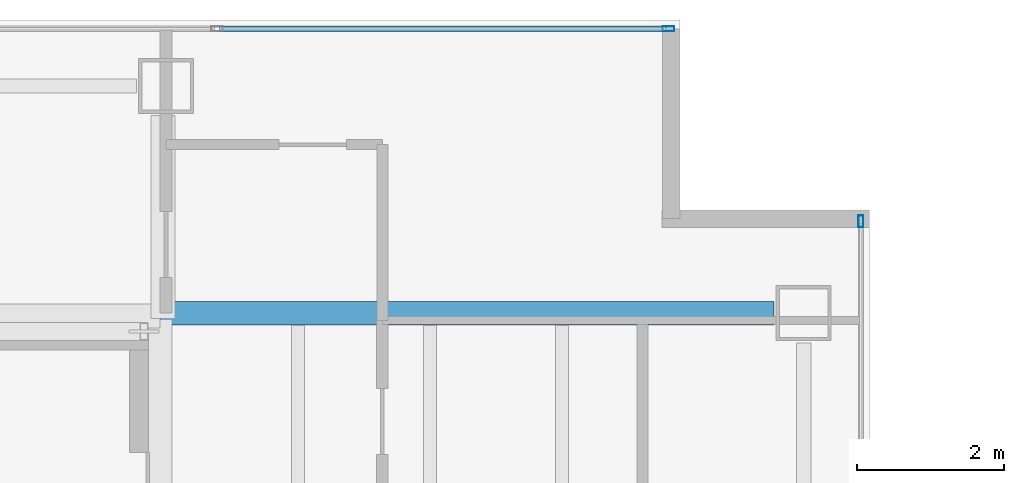
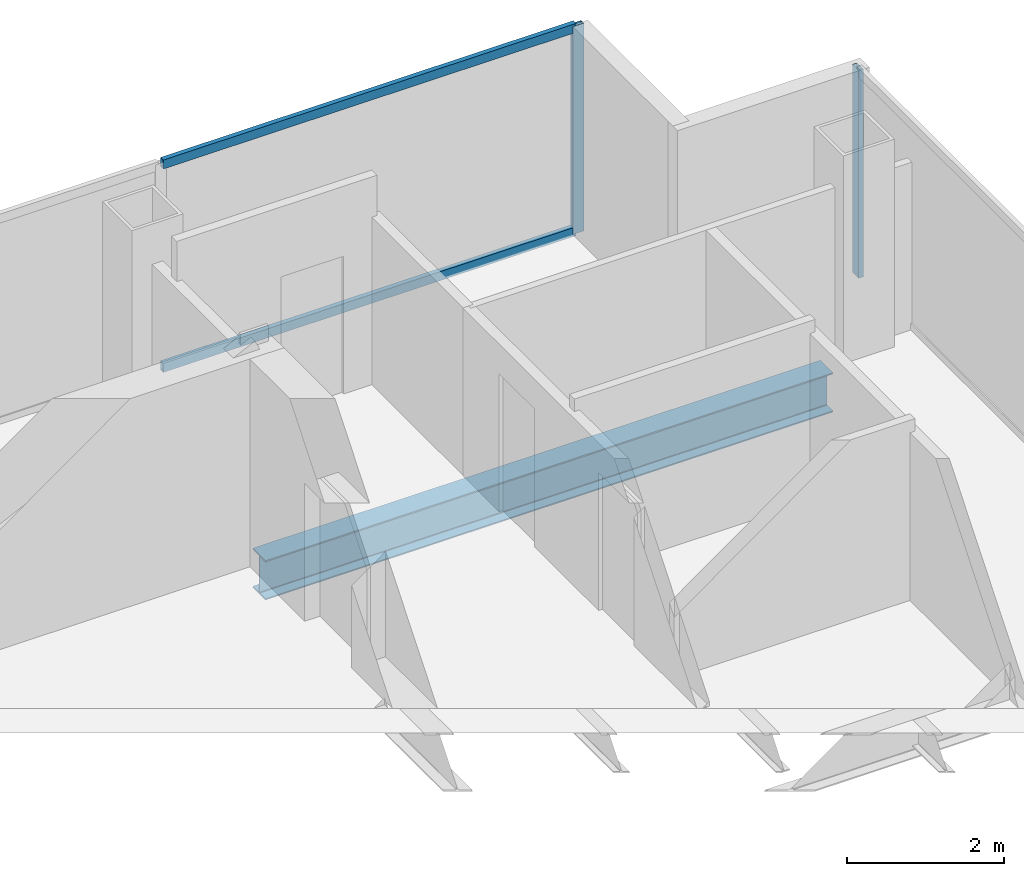
# One storey, part 18 of 23: 4 members, 1 beam, 2 elements without a shape of their own.
"""IFC4 building model written with IfcOpenShell, lengths in metres."""

from ifc_helpers import new_model, si_unit, direction, frame, origin, origin_2d, place, context, subcontext, project, spatial, hollow_rectangle, i_section, extrude, material, material_profile, profile_set, type_object, element, aggregate, save


model = new_model("IFC4")

# Units and contexts
model_context = context("Model", 3, precision=1e-05, world=origin(), true_north=direction((0.0, 1.0)))
body_context = subcontext(model_context, "Body", "Model", "MODEL_VIEW")
ifc_project = project(units=[si_unit("LENGTHUNIT", "METRE"), si_unit("AREAUNIT", "SQUARE_METRE"), si_unit("VOLUMEUNIT", "CUBIC_METRE"), si_unit("PLANEANGLEUNIT", "RADIAN"), si_unit("MASSUNIT", "GRAM", prefix="KILO")], contexts=[model_context])

# Site, building, storey
site_placement = place(None, origin())
site = spatial("IfcSite", under=ifc_project, at=site_placement, CompositionType="ELEMENT")
building_placement = place(site_placement, origin())
building = spatial("IfcBuilding", under=site, at=building_placement, Name="Cobrela Telecom Tower", CompositionType="ELEMENT")
storey_placement = place(building_placement, frame((0.0, 0.0, 201.25)))
storey = spatial("IfcBuildingStorey", under=building, at=storey_placement, Name="L51", CompositionType="ELEMENT", Elevation=201.25)

# Beam
ifc_material_1 = material(Name="Steel ASTM A992 Grade 50", Category="steel")
ifc_material_profile_1 = material_profile(ifc_material_1, i_section(OverallWidth=0.324951171875, OverallDepth=0.612060546875, WebThickness=0.0126953125, FlangeThickness=0.01904296875, FilletRadius=0.014892578125, at=origin_2d()), Name="W24X104")
ifc_profile_set_1 = profile_set([ifc_material_profile_1], Name="Steel ASTM A992 Grade 50")
beam_type = type_object("IfcBeamType", Name="BM-GIRD-07", PredefinedType="USERDEFINED", material=ifc_profile_set_1)
beam_placement = place(storey_placement, frame((14.324951171875, 36.0, -0.56591796875), z_axis=(1.0, 0.0, 0.0), x_axis=(0.0, 1.0, 0.0)))
element("IfcBeam", 1, at=beam_placement, inside=storey, type_object=beam_type, Name="L51 Primary Girder X22", ObjectType="GIRDER", PredefinedType="USERDEFINED", context=body_context, shape_type="SweptSolid", body=[
    extrude(i_section(OverallWidth=0.324951171875, OverallDepth=0.612060546875, WebThickness=0.0126953125, FlangeThickness=0.01904296875, FilletRadius=0.014892578125, at=origin_2d()), origin(), (0.0, 0.0, 1.0), 8.3701171875),
])

# Curtain wall, member
ifc_material_2 = material(Name="Anodized Bronze Aluminium 6063-T6", Category="aluminium")
curtain_wall_type = type_object("IfcCurtainWallType", Name="CW-SYS-OFF-LO", PredefinedType="USERDEFINED", material=ifc_material_2)
curtain_wall_1_placement = place(storey_placement, origin())
curtain_wall_1 = element("IfcCurtainWall", 2, at=curtain_wall_1_placement, inside=storey, type_object=curtain_wall_type, Name="L51 Unitised Bronze Curtain Wall 07", ObjectType="UNITISED CURTAIN WALL", PredefinedType="USERDEFINED")
ifc_material_profile_2 = material_profile(ifc_material_2, hollow_rectangle(XDim=0.070068359375, YDim=0.159912109375, WallThickness=0.00390625, at=origin_2d()), Name="ALU 70x160x4")
ifc_profile_set_2 = profile_set([ifc_material_profile_2], Name="Anodized Bronze Aluminium 6063-T6")
member_type_1 = type_object("IfcMemberType", Name="CW-SYS-OFF-LO-MUL", PredefinedType="MULLION", material=ifc_profile_set_2)
member_1_placement = place(storey_placement, frame((21.2548828125, 39.8798828125, 0.0), z_axis=(0.0, 0.0, 1.0), x_axis=(0.0, 1.0, 0.0)))
member_1 = element("IfcMember", 3, at=member_1_placement, type_object=member_type_1, Name="CW-OFF-LO mullion 4", PredefinedType="MULLION", context=body_context, shape_type="SweptSolid", body=[
    extrude(hollow_rectangle(XDim=0.070068359375, YDim=0.159912109375, WallThickness=0.00390625, at=origin_2d()), origin(), (0.0, 0.0, 1.0), 3.239990234375),
])

curtain_wall_2_placement = place(storey_placement, origin())
curtain_wall_2 = element("IfcCurtainWall", 4, at=curtain_wall_2_placement, inside=storey, type_object=curtain_wall_type, Name="L51 Unitised Bronze Curtain Wall 10", ObjectType="UNITISED CURTAIN WALL", PredefinedType="USERDEFINED")
member_2_placement = place(storey_placement, frame((23.8798828125, 37.2548828125, 0.0), z_axis=(0.0, 0.0, 1.0), x_axis=(1.0, 0.0, 0.0)))
member_2 = element("IfcMember", 5, at=member_2_placement, type_object=member_type_1, Name="CW-OFF-LO mullion 1", PredefinedType="MULLION", context=body_context, shape_type="SweptSolid", body=[
    extrude(hollow_rectangle(XDim=0.070068359375, YDim=0.159912109375, WallThickness=0.00390625, at=origin_2d()), origin(), (0.0, 0.0, 1.0), 3.239990234375),
])
aggregate(curtain_wall_2, [member_2])

# Member
ifc_material_profile_3 = material_profile(ifc_material_2, hollow_rectangle(XDim=0.070068359375, YDim=0.139892578125, WallThickness=0.00390625, at=origin_2d()), Name="ALU 70x140x4")
ifc_profile_set_3 = profile_set([ifc_material_profile_3], Name="Anodized Bronze Aluminium 6063-T6")
member_type_2 = type_object("IfcMemberType", Name="CW-SYS-OFF-LO-TRN", PredefinedType="USERDEFINED", material=ifc_profile_set_3)
member_3_placement = place(storey_placement, frame((15.131591796875, 39.8798828125, 0.034912109375), z_axis=(1.0, 0.0, 0.0), x_axis=(0.0, 1.0, 0.0)))
member_3 = element("IfcMember", 6, at=member_3_placement, type_object=member_type_2, Name="CW-OFF-LO transom 3.1", ObjectType="TRANSOM", PredefinedType="USERDEFINED", context=body_context, shape_type="SweptSolid", body=[
    extrude(hollow_rectangle(XDim=0.070068359375, YDim=0.139892578125, WallThickness=0.00390625, at=origin_2d()), origin(), (0.0, 0.0, 1.0), 6.08837890625),
])

member_4_placement = place(storey_placement, frame((15.131591796875, 39.8798828125, 3.205078125), z_axis=(1.0, 0.0, 0.0), x_axis=(0.0, 1.0, 0.0)))
member_4 = element("IfcMember", 7, at=member_4_placement, type_object=member_type_2, Name="CW-OFF-LO transom 3.2", ObjectType="TRANSOM", PredefinedType="USERDEFINED", context=body_context, shape_type="SweptSolid", body=[
    extrude(hollow_rectangle(XDim=0.070068359375, YDim=0.139892578125, WallThickness=0.00390625, at=origin_2d()), origin(), (0.0, 0.0, 1.0), 6.08837890625),
])

aggregate(curtain_wall_1, [member_1, member_3, member_4])

save(model, "model.ifc")
